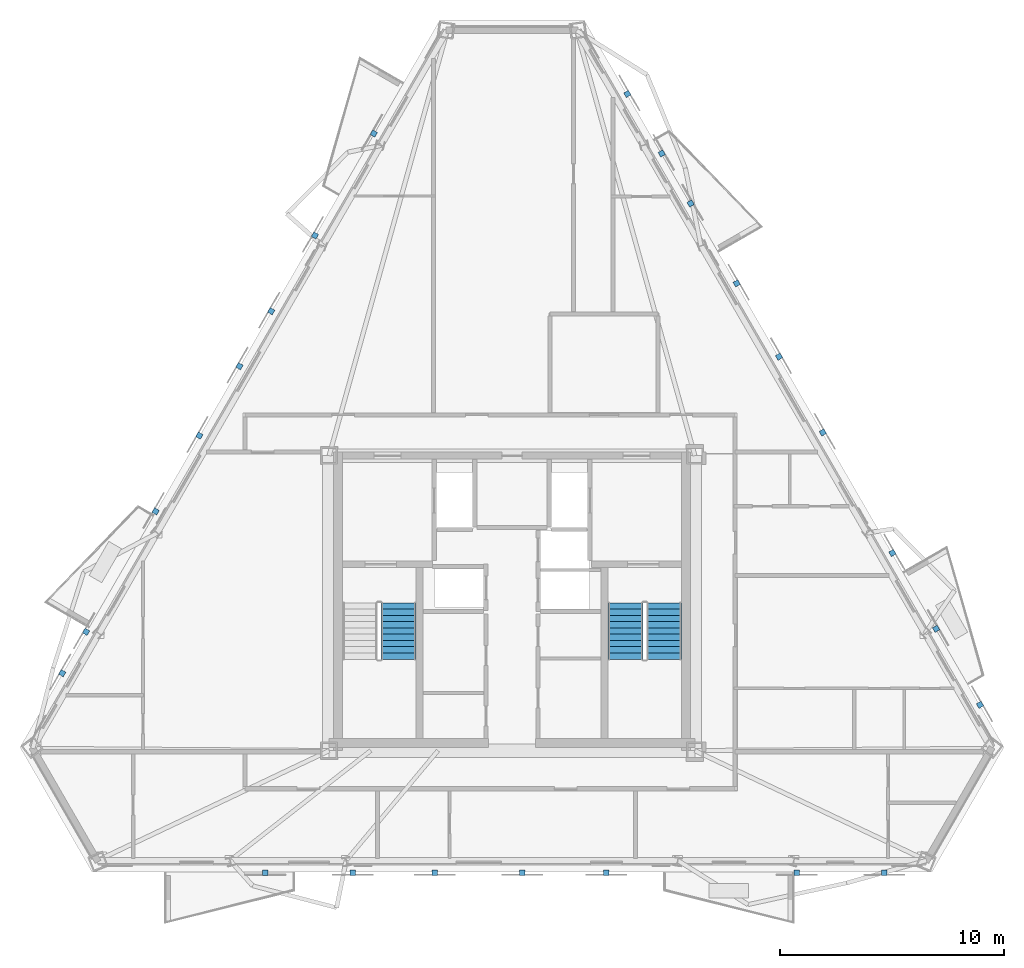
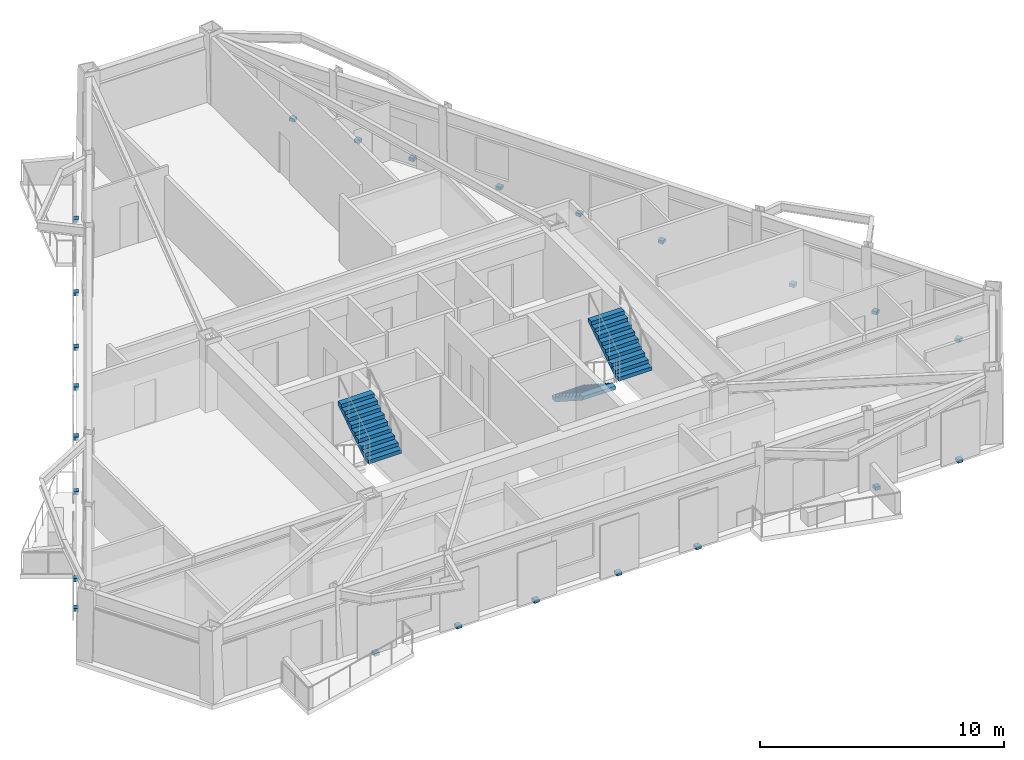
# One storey, part 6 of 9: 24 discrete accessories, 3 stair flights, 2 elements without a shape of their own.
"""IFC4 building model written with IfcOpenShell, lengths in metres."""

from ifc_helpers import new_model, si_unit, direction, frame, origin, origin_2d, place, context, subcontext, project, spatial, polyline, rectangle, outline, extrude, material, type_object, element, aggregate, save


model = new_model("IFC4")

# Units and contexts
model_context = context("Model", 3, precision=1e-05, world=origin(), true_north=direction((0.0, 1.0)))
body_context = subcontext(model_context, "Body", "Model", "MODEL_VIEW")
ifc_project = project(units=[si_unit("LENGTHUNIT", "METRE"), si_unit("AREAUNIT", "SQUARE_METRE"), si_unit("VOLUMEUNIT", "CUBIC_METRE"), si_unit("PLANEANGLEUNIT", "RADIAN"), si_unit("MASSUNIT", "GRAM", prefix="KILO")], contexts=[model_context])

# Site, building, storey
site_placement = place(None, origin())
site = spatial("IfcSite", under=ifc_project, at=site_placement, CompositionType="ELEMENT")
building_placement = place(site_placement, origin())
building = spatial("IfcBuilding", under=site, at=building_placement, Name="Oramaril Tower", CompositionType="ELEMENT")
storey_placement = place(building_placement, frame((0.0, 0.0, 237.89990234375)))
storey = spatial("IfcBuildingStorey", under=building, at=storey_placement, Name="L63", CompositionType="ELEMENT", Elevation=237.89990234375)

# Stair, stair flight
ifc_material_1 = material(Name="Concrete C50/60", Category="concrete")
stair_type = type_object("IfcStairType", Name="STT-DG-3600", PredefinedType="HALF_TURN_STAIR", material=ifc_material_1)
stair_1_placement = place(storey_placement, origin())
stair_1 = element("IfcStair", 1, at=stair_1_placement, inside=storey, type_object=stair_type, Name="L63 Protected PFP Exit Stair ST-1", PredefinedType="HALF_TURN_STAIR")
ifc_material_2 = material(Name="Concrete C50/60", Category="concrete")
stair_flight_type = type_object("IfcStairFlightType", Name="SFT-DG-3600", PredefinedType="STRAIGHT", material=ifc_material_2)
stair_flight_1_placement = place(storey_placement, frame((32.43994140625, 15.070068359375, 1.800048828125), z_axis=(0.0, 0.0, 1.0), x_axis=(0.0, 1.0, 0.0)))
stair_flight_1 = element("IfcStairFlight", 2, at=stair_flight_1_placement, type_object=stair_flight_type, Name="ST-1 flight 2", NumberOfRisers=10, NumberOfTreads=9, PredefinedType="STRAIGHT", RiserHeight=0.18, TreadLength=0.28, context=body_context, shape_type="SweptSolid", body=[
    extrude(outline(polyline([(0.0, 0.0), (0.0, 0.179931640625), (0.280029296875, 0.179931640625), (0.280029296875, 0.360107421875), (0.56005859375, 0.360107421875), (0.56005859375, 0.5400390625), (0.840087890625, 0.5400390625), (0.840087890625, 0.719970703125), (1.1201171875, 0.719970703125), (1.1201171875, 0.89990234375), (1.39990234375, 0.89990234375), (1.39990234375, 1.080078125), (1.679931640625, 1.080078125), (1.679931640625, 1.260009765625), (1.9599609375, 1.260009765625), (1.9599609375, 1.43994140625), (2.239990234375, 1.43994140625), (2.239990234375, 1.6201171875), (2.52001953125, 1.6201171875), (2.52001953125, 1.800048828125), (2.52001953125, 1.44189453125), (0.277099609375, 0.0), (0.0, 0.0)])), frame((0.0, 0.780029296875, 0.0), z_axis=(0.0, -1.0, 0.0), x_axis=(1.0, 0.0, 0.0)), (0.0, 0.0, 1.0), 1.56005859375),
])
aggregate(stair_1, [stair_flight_1])

# Stair, stair flights
stair_2_placement = place(storey_placement, origin())
stair_2 = element("IfcStair", 3, at=stair_2_placement, inside=storey, type_object=stair_type, Name="L63 Protected PFP Exit Stair ST-2", PredefinedType="HALF_TURN_STAIR")
stair_flight_2_placement = place(storey_placement, frame((42.56005859375, 17.590087890625, 0.0), z_axis=(0.0, 0.0, 1.0), x_axis=(0.0, -1.0, 0.0)))
stair_flight_2 = element("IfcStairFlight", 4, at=stair_flight_2_placement, type_object=stair_flight_type, Name="ST-2 flight 1", NumberOfRisers=10, NumberOfTreads=9, PredefinedType="STRAIGHT", RiserHeight=0.18, TreadLength=0.28, context=body_context, shape_type="SweptSolid", body=[
    extrude(outline(polyline([(0.0, 0.0), (0.0, 0.179931640625), (0.280029296875, 0.179931640625), (0.280029296875, 0.360107421875), (0.56005859375, 0.360107421875), (0.56005859375, 0.5400390625), (0.840087890625, 0.5400390625), (0.840087890625, 0.719970703125), (1.1201171875, 0.719970703125), (1.1201171875, 0.89990234375), (1.39990234375, 0.89990234375), (1.39990234375, 1.080078125), (1.679931640625, 1.080078125), (1.679931640625, 1.260009765625), (1.9599609375, 1.260009765625), (1.9599609375, 1.43994140625), (2.239990234375, 1.43994140625), (2.239990234375, 1.6201171875), (2.52001953125, 1.6201171875), (2.52001953125, 1.800048828125), (2.52001953125, 1.44189453125), (0.277099609375, 0.0), (0.0, 0.0)])), frame((0.0, 0.780029296875, 0.0), z_axis=(0.0, -1.0, 0.0), x_axis=(1.0, 0.0, 0.0)), (0.0, 0.0, 1.0), 1.56005859375),
])
stair_flight_3_placement = place(storey_placement, frame((44.27001953125, 15.070068359375, 1.800048828125), z_axis=(0.0, 0.0, 1.0), x_axis=(0.0, 1.0, 0.0)))
stair_flight_3 = element("IfcStairFlight", 5, at=stair_flight_3_placement, type_object=stair_flight_type, Name="ST-2 flight 2", NumberOfRisers=10, NumberOfTreads=9, PredefinedType="STRAIGHT", RiserHeight=0.18, TreadLength=0.28, context=body_context, shape_type="SweptSolid", body=[
    extrude(outline(polyline([(0.0, 0.0), (0.0, 0.179931640625), (0.280029296875, 0.179931640625), (0.280029296875, 0.360107421875), (0.56005859375, 0.360107421875), (0.56005859375, 0.5400390625), (0.840087890625, 0.5400390625), (0.840087890625, 0.719970703125), (1.1201171875, 0.719970703125), (1.1201171875, 0.89990234375), (1.39990234375, 0.89990234375), (1.39990234375, 1.080078125), (1.679931640625, 1.080078125), (1.679931640625, 1.260009765625), (1.9599609375, 1.260009765625), (1.9599609375, 1.43994140625), (2.239990234375, 1.43994140625), (2.239990234375, 1.6201171875), (2.52001953125, 1.6201171875), (2.52001953125, 1.800048828125), (2.52001953125, 1.44189453125), (0.277099609375, 0.0), (0.0, 0.0)])), frame((0.0, 0.780029296875, 0.0), z_axis=(0.0, -1.0, 0.0), x_axis=(1.0, 0.0, 0.0)), (0.0, 0.0, 1.0), 1.56005859375),
])
aggregate(stair_2, [stair_flight_2, stair_flight_3])

# Discrete accessories
for number, where, z_axis, x_axis, name in (
    (6, (26.4951171875, 5.562255859375, -0.1396484375), (0.0, 0.0, 1.0), (1.0, 0.0, 0.0), "L63 Solar Screen Slab Bracket"),
    (7, (30.39501953125, 5.562255859375, -0.1396484375), (0.0, 0.0, 1.0), (1.0, 0.0, 0.0), "L63 Solar Screen Slab Bracket"),
    (8, (34.06396484375, 5.562255859375, -0.1396484375), (0.0, 0.0, 1.0), (1.0, 0.0, 0.0), "L63 Solar Screen Slab Bracket"),
    (9, (37.9638671875, 5.562255859375, -0.1396484375), (0.0, 0.0, 1.0), (1.0, 0.0, 0.0), "L63 Solar Screen Slab Bracket"),
    (10, (41.7060546875, 5.562255859375, -0.1396484375), (0.0, 0.0, 1.0), (1.0, 0.0, 0.0), "L63 Solar Screen Slab Bracket"),
    (11, (50.18701171875, 5.562255859375, -0.1396484375), (0.0, 0.0, 1.0), (1.0, 0.0, 0.0), "L63 Solar Screen Slab Bracket"),
    (12, (54.0869140625, 5.562255859375, -0.1396484375), (0.0, 0.0, 1.0), (1.0, 0.0, 0.0), "L63 Solar Screen Slab Bracket"),
    (13, (56.405029296875, 16.430908203125, -0.1396484375), (0.0, 0.0, 1.0), (-0.500001511499, 0.866024531118, 0.0), "L63 Solar Screen Slab Bracket"),
    (14, (54.455078125, 19.80859375, -0.1396484375), (0.0, 0.0, 1.0), (-0.500001511499, 0.866024531118, 0.0), "L63 Solar Screen Slab Bracket"),
    (15, (58.362060546875, 13.04150390625, -0.1396484375), (0.0, 0.0, 1.0), (-0.500001511499, 0.866024531118, 0.0), "L63 Solar Screen Slab Bracket"),
    (16, (42.641357421875, 40.2705078125, -0.1396484375), (0.0, 0.0, 1.0), (-0.500001511499, 0.866024531118, 0.0), "L63 Solar Screen Slab Bracket"),
    (17, (51.35302734375, 25.181396484375, -0.1396484375), (0.0, 0.0, 1.0), (-0.500001511499, 0.866024531118, 0.0), "L63 Solar Screen Slab Bracket"),
    (18, (49.403076171875, 28.55908203125, -0.1396484375), (0.0, 0.0, 1.0), (-0.500001511499, 0.866024531118, 0.0), "L63 Solar Screen Slab Bracket"),
    (19, (47.515625, 31.827880859375, -0.1396484375), (0.0, 0.0, 1.0), (-0.500001511499, 0.866024531118, 0.0), "L63 Solar Screen Slab Bracket"),
    (20, (45.460693359375, 35.387451171875, -0.1396484375), (0.0, 0.0, 1.0), (-0.500001511499, 0.866024531118, 0.0), "L63 Solar Screen Slab Bracket"),
    (21, (44.172607421875, 37.6181640625, -0.1396484375), (0.0, 0.0, 1.0), (-0.500001511499, 0.866024531118, 0.0), "L63 Solar Screen Slab Bracket"),
    (22, (23.56640625, 25.041748046875, -0.1396484375), (0.0, 0.0, 1.0), (-0.500001511499, -0.866024531118, 0.0), "L63 Solar Screen Slab Bracket"),
    (23, (21.6162109375, 21.664306640625, -0.1396484375), (0.0, 0.0, 1.0), (-0.500001511499, -0.866024531118, 0.0), "L63 Solar Screen Slab Bracket"),
    (24, (17.451904296875, 14.451416015625, -0.1396484375), (0.0, 0.0, 1.0), (-0.500001511499, -0.866024531118, 0.0), "L63 Solar Screen Slab Bracket"),
    (25, (18.514892578125, 16.29248046875, -0.1396484375), (0.0, 0.0, 1.0), (-0.500001511499, -0.866024531118, 0.0), "L63 Solar Screen Slab Bracket"),
    (26, (28.716552734375, 33.96240234375, -0.1396484375), (0.0, 0.0, 1.0), (-0.500001511499, -0.866024531118, 0.0), "L63 Solar Screen Slab Bracket"),
    (27, (26.7666015625, 30.584716796875, -0.1396484375), (0.0, 0.0, 1.0), (-0.500001511499, -0.866024531118, 0.0), "L63 Solar Screen Slab Bracket"),
    (28, (25.352294921875, 28.135009765625, -0.1396484375), (0.0, 0.0, 1.0), (-0.500001511499, -0.866024531118, 0.0), "L63 Solar Screen Slab Bracket"),
    (29, (31.340087890625, 38.506103515625, -0.1396484375), (0.0, 0.0, 1.0), (-0.500001511499, -0.866024531118, 0.0), "L63 Solar Screen Slab Bracket"),
):
    element("IfcDiscreteAccessory", number, at=place(storey_placement, frame(where, z_axis=z_axis, x_axis=x_axis)), inside=storey, Name=name, PredefinedType="BRACKET", context=body_context, shape_type="SweptSolid", body=[
        extrude(rectangle(XDim=0.239990234375, YDim=0.239990234375, at=origin_2d()), origin(), (0.0, 0.0, 1.0), 0.159912109375),
    ])

save(model, "model.ifc")
